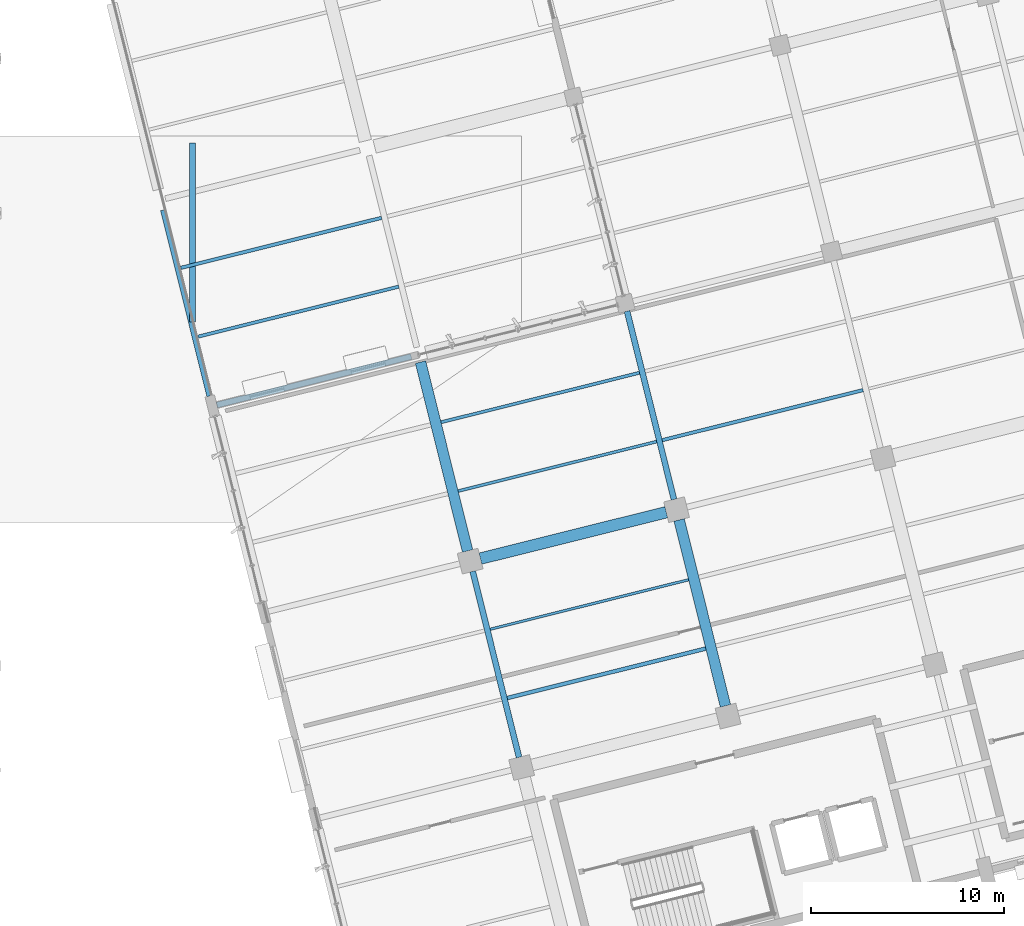
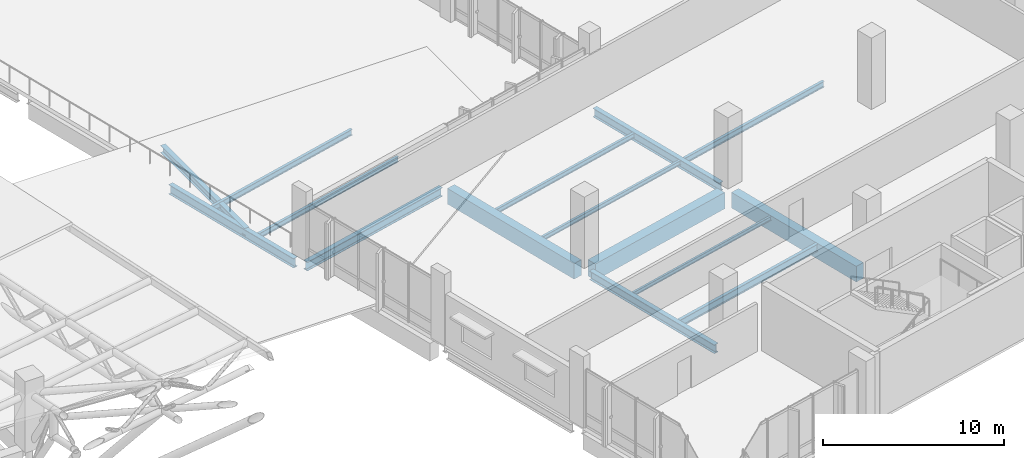
# One storey, part 69 of 137: 15 beams.
"""IFC4 building model written with IfcOpenShell, lengths in metres."""

from ifc_helpers import new_model, si_unit, direction, frame, origin, origin_2d, place, context, subcontext, project, spatial, rectangle, i_section, extrude, material, material_profile, profile_set, type_object, element, save


model = new_model("IFC4")

# Units and contexts
model_context = context("Model", 3, precision=1e-05, world=origin(), true_north=direction((0.0, 1.0)))
body_context = subcontext(model_context, "Body", "Model", "MODEL_VIEW")
ifc_project = project(units=[si_unit("LENGTHUNIT", "METRE"), si_unit("AREAUNIT", "SQUARE_METRE"), si_unit("VOLUMEUNIT", "CUBIC_METRE"), si_unit("PLANEANGLEUNIT", "RADIAN"), si_unit("MASSUNIT", "GRAM", prefix="KILO")], contexts=[model_context])

# Site, building, storey
site_placement = place(None, origin())
site = spatial("IfcSite", under=ifc_project, at=site_placement, CompositionType="ELEMENT")
building_placement = place(site_placement, origin())
building = spatial("IfcBuilding", under=site, at=building_placement, Name="Khorjan Park Terminus", CompositionType="ELEMENT")
storey_placement = place(building_placement, frame((0.0, 0.0, 11.4)))
storey = spatial("IfcBuildingStorey", under=building, at=storey_placement, Name="L02", CompositionType="ELEMENT", Elevation=11.4)

# Beams
ifc_material_1 = material(Name="Steel S355", Category="steel")
ifc_material_profile_1 = material_profile(ifc_material_1, i_section(OverallWidth=0.3, OverallDepth=0.59, WebThickness=0.013, FlangeThickness=0.025, FilletRadius=0.027, at=origin_2d()), Name="HEA 600")
ifc_profile_set_1 = profile_set([ifc_material_profile_1], Name="Steel S355")
beam_type_1 = type_object("IfcBeamType", Name="BM-HEA600", PredefinedType="BEAM", material=ifc_profile_set_1)
beam_1_placement = place(storey_placement, frame((173.8803, 15.8632, -0.645), z_axis=(-0.24192775306, 0.970294265828, 0.0), x_axis=(-0.970294265828, -0.24192775306, 0.0)))
element("IfcBeam", 1, at=beam_1_placement, inside=storey, type_object=beam_type_1, Name="Primary skew-grid floor girder SB-A60 (L02)", PredefinedType="BEAM", context=body_context, shape_type="SweptSolid", body=[
    extrude(i_section(OverallWidth=0.3, OverallDepth=0.59, WebThickness=0.013, FlangeThickness=0.025, FilletRadius=0.027, at=origin_2d()), origin(), (0.0, 0.0, 1.0), 9.91),
])
beam_2_placement = place(storey_placement, frame((181.8924, 29.1976, -0.645), z_axis=(-0.24192360021, 0.970295301267, 0.0), x_axis=(-0.970295301267, -0.24192360021, 0.0)))
element("IfcBeam", 2, at=beam_2_placement, inside=storey, type_object=beam_type_1, Name="Primary skew-grid floor girder SB-A60 (L02)", PredefinedType="BEAM", context=body_context, shape_type="SweptSolid", body=[
    extrude(i_section(OverallWidth=0.3, OverallDepth=0.59, WebThickness=0.013, FlangeThickness=0.025, FilletRadius=0.027, at=origin_2d()), origin(), (0.0, 0.0, 1.0), 10.035),
])
ifc_material_profile_2 = material_profile(ifc_material_1, i_section(OverallWidth=0.3, OverallDepth=0.64, WebThickness=0.0135, FlangeThickness=0.026, FilletRadius=0.027, at=origin_2d()), Name="HEA 650")
ifc_profile_set_2 = profile_set([ifc_material_profile_2], Name="Steel S355")
beam_type_2 = type_object("IfcBeamType", Name="BM-HEA650", PredefinedType="BEAM", material=ifc_profile_set_2)
beam_3_placement = place(storey_placement, frame((157.8847, 34.5486, -0.59), z_axis=(-0.241918252798, 0.970296634521, 0.0), x_axis=(-0.970296634521, -0.241918252798, 0.0)))
element("IfcBeam", 3, at=beam_3_placement, inside=storey, type_object=beam_type_2, Name="Primary skew-grid floor girder SB-A65 (L02)", PredefinedType="BEAM", context=body_context, shape_type="SweptSolid", body=[
    extrude(i_section(OverallWidth=0.3, OverallDepth=0.64, WebThickness=0.0135, FlangeThickness=0.026, FilletRadius=0.027, at=origin_2d()), origin(), (0.0, 0.0, 1.0), 9.91),
])
ifc_material_profile_3 = material_profile(ifc_material_1, i_section(OverallWidth=0.3, OverallDepth=0.5, WebThickness=0.0145, FlangeThickness=0.028, FilletRadius=0.027, at=origin_2d()), Name="HEB 500")
ifc_profile_set_3 = profile_set([ifc_material_profile_3], Name="Steel S355")
beam_type_3 = type_object("IfcBeamType", Name="BM-HEB500", PredefinedType="BEAM", material=ifc_profile_set_3)
beam_4_placement = place(storey_placement, frame((157.0, 38.37, -0.52), z_axis=(0.0, 1.0, 0.0), x_axis=(-1.0, 0.0, 0.0)))
element("IfcBeam", 4, at=beam_4_placement, inside=storey, type_object=beam_type_3, Name="Primary floor girder SB-B50 (L02)", PredefinedType="BEAM", context=body_context, shape_type="SweptSolid", body=[
    extrude(i_section(OverallWidth=0.3, OverallDepth=0.5, WebThickness=0.0145, FlangeThickness=0.028, FilletRadius=0.027, at=origin_2d()), origin(), (0.0, 0.0, 1.0), 9.26),
])
ifc_material_profile_4 = material_profile(ifc_material_1, i_section(OverallWidth=0.3, OverallDepth=0.6, WebThickness=0.0155, FlangeThickness=0.03, FilletRadius=0.027, at=origin_2d()), Name="HEB 600")
ifc_profile_set_4 = profile_set([ifc_material_profile_4], Name="Steel S355")
beam_type_4 = type_object("IfcBeamType", Name="BM-HEB600", PredefinedType="BEAM", material=ifc_profile_set_4)
beam_5_placement = place(storey_placement, frame((158.2543, 34.079, -0.65), z_axis=(0.970296176779, 0.241920088722, 0.0), x_axis=(-0.241920088722, 0.970296176779, 0.0)))
element("IfcBeam", 5, at=beam_5_placement, inside=storey, type_object=beam_type_4, Name="Primary skew-grid floor girder SB-B60 (L02)", PredefinedType="BEAM", context=body_context, shape_type="SweptSolid", body=[
    extrude(i_section(OverallWidth=0.3, OverallDepth=0.6, WebThickness=0.0155, FlangeThickness=0.03, FilletRadius=0.027, at=origin_2d()), origin(), (0.0, 0.0, 1.0), 10.36),
])
ifc_material_2 = material(Name="Concrete C40/50", Category="concrete")
ifc_material_profile_5 = material_profile(ifc_material_2, rectangle(XDim=0.55, YDim=1.05, at=origin_2d()), Name="RC 550x1050")
ifc_profile_set_5 = profile_set([ifc_material_profile_5], Name="Concrete C40/50")
beam_type_5 = type_object("IfcBeamType", Name="BM-RC550x1050", PredefinedType="BEAM", material=ifc_profile_set_5)
beam_6_placement = place(storey_placement, frame((171.2191, 26.5365, -0.875), z_axis=(-0.241920438591, 0.970296089548, 0.0), x_axis=(-0.970296089548, -0.241920438591, 0.0)))
element("IfcBeam", 6, at=beam_6_placement, inside=storey, type_object=beam_type_5, Name="Primary skew-grid floor girder GB-105 (L02)", PredefinedType="BEAM", context=body_context, shape_type="SweptSolid", body=[
    extrude(rectangle(XDim=0.55, YDim=1.05, at=origin_2d()), origin(), (0.0, 0.0, 1.0), 10.0599),
])
beam_7_placement = place(storey_placement, frame((184.5535, 18.5243, -0.875), z_axis=(-0.241915884168, 0.970297225074, 0.0), x_axis=(-0.970297225074, -0.241915884168, 0.0)))
element("IfcBeam", 7, at=beam_7_placement, inside=storey, type_object=beam_type_5, Name="Primary skew-grid floor girder GB-105 (L02)", PredefinedType="BEAM", context=body_context, shape_type="SweptSolid", body=[
    extrude(rectangle(XDim=0.55, YDim=1.05, at=origin_2d()), origin(), (0.0, 0.0, 1.0), 9.9101),
])
ifc_material_profile_6 = material_profile(ifc_material_2, rectangle(XDim=0.6, YDim=1.1, at=origin_2d()), Name="RC 600x1100")
ifc_profile_set_6 = profile_set([ifc_material_profile_6], Name="Concrete C40/50")
beam_type_6 = type_object("IfcBeamType", Name="BM-RC600x1100", PredefinedType="BEAM", material=ifc_profile_set_6)
beam_8_placement = place(storey_placement, frame((171.8798, 26.1395, -0.9), z_axis=(0.970296634521, 0.241918252798, 0.0), x_axis=(-0.241918252798, 0.970296634521, 0.0)))
element("IfcBeam", 8, at=beam_8_placement, inside=storey, type_object=beam_type_6, Name="Primary skew-grid floor girder GB-11 (L02)", PredefinedType="BEAM", context=body_context, shape_type="SweptSolid", body=[
    extrude(rectangle(XDim=0.6, YDim=1.1, at=origin_2d()), origin(), (0.0, 0.0, 1.0), 9.91),
])
ifc_material_profile_7 = material_profile(ifc_material_1, i_section(OverallWidth=0.135, OverallDepth=0.27, WebThickness=0.0066, FlangeThickness=0.0102, FilletRadius=0.015, at=origin_2d()), Name="IPE 270")
ifc_profile_set_7 = profile_set([ifc_material_profile_7], Name="Steel S355")
beam_type_7 = type_object("IfcBeamType", Name="JS-IPE270", PredefinedType="JOIST", material=ifc_profile_set_7)
beam_9_placement = place(storey_placement, frame((172.3836, 22.4862, -0.485), z_axis=(0.970295832192, 0.241921470792, 0.0), x_axis=(-0.241921470792, 0.970295832192, 0.0)))
element("IfcBeam", 9, at=beam_9_placement, inside=storey, type_object=beam_type_7, Name="Secondary composite floor joist SJ-27 (L02)", PredefinedType="JOIST", context=body_context, shape_type="SweptSolid", body=[
    extrude(i_section(OverallWidth=0.135, OverallDepth=0.27, WebThickness=0.0066, FlangeThickness=0.0102, FilletRadius=0.015, at=origin_2d()), origin(), (0.0, 0.0, 1.0), 10.5749),
])
ifc_material_profile_8 = material_profile(ifc_material_1, i_section(OverallWidth=0.15, OverallDepth=0.3, WebThickness=0.0071, FlangeThickness=0.0107, FilletRadius=0.015, at=origin_2d()), Name="IPE 300")
ifc_profile_set_8 = profile_set([ifc_material_profile_8], Name="Steel S355")
beam_type_8 = type_object("IfcBeamType", Name="JS-IPE300", PredefinedType="JOIST", material=ifc_profile_set_8)
beam_10_placement = place(storey_placement, frame((170.7307, 29.632, -0.5), z_axis=(0.970296385626, 0.241919251074, 0.0), x_axis=(-0.241919251074, 0.970296385626, 0.0)))
element("IfcBeam", 10, at=beam_10_placement, inside=storey, type_object=beam_type_8, Name="Secondary composite floor joist SJ-30 (L02)", PredefinedType="JOIST", context=body_context, shape_type="SweptSolid", body=[
    extrude(i_section(OverallWidth=0.15, OverallDepth=0.3, WebThickness=0.0071, FlangeThickness=0.0107, FilletRadius=0.015, at=origin_2d()), origin(), (0.0, 0.0, 1.0), 10.575),
])
ifc_material_profile_9 = material_profile(ifc_material_1, i_section(OverallWidth=0.16, OverallDepth=0.33, WebThickness=0.0075, FlangeThickness=0.0115, FilletRadius=0.018, at=origin_2d()), Name="IPE 330")
ifc_profile_set_9 = profile_set([ifc_material_profile_9], Name="Steel S355")
beam_type_9 = type_object("IfcBeamType", Name="JS-IPE330", PredefinedType="JOIST", material=ifc_profile_set_9)
beam_11_placement = place(storey_placement, frame((169.8437, 33.1896, -0.515), z_axis=(0.970294165893, 0.241928153868, 0.0), x_axis=(-0.241928153868, 0.970294165893, 0.0)))
element("IfcBeam", 11, at=beam_11_placement, inside=storey, type_object=beam_type_9, Name="Secondary composite floor joist SJ-33 (L02)", PredefinedType="JOIST", context=body_context, shape_type="SweptSolid", body=[
    extrude(i_section(OverallWidth=0.16, OverallDepth=0.33, WebThickness=0.0075, FlangeThickness=0.0115, FilletRadius=0.018, at=origin_2d()), origin(), (0.0, 0.0, 1.0), 10.575),
])
ifc_material_profile_10 = material_profile(ifc_material_1, i_section(OverallWidth=0.17, OverallDepth=0.36, WebThickness=0.008, FlangeThickness=0.0127, FilletRadius=0.018, at=origin_2d()), Name="IPE 360")
ifc_profile_set_10 = profile_set([ifc_material_profile_10], Name="Steel S355")
beam_type_10 = type_object("IfcBeamType", Name="JS-IPE360", PredefinedType="JOIST", material=ifc_profile_set_10)
beam_12_placement = place(storey_placement, frame((157.2751, 37.6138, -0.45), z_axis=(0.970294591155, 0.241926448278, 0.0), x_axis=(-0.241926448278, 0.970294591155, 0.0)))
element("IfcBeam", 12, at=beam_12_placement, inside=storey, type_object=beam_type_10, Name="Secondary composite floor joist SJ-36 (L02)", PredefinedType="JOIST", context=body_context, shape_type="SweptSolid", body=[
    extrude(i_section(OverallWidth=0.17, OverallDepth=0.36, WebThickness=0.008, FlangeThickness=0.0127, FilletRadius=0.018, at=origin_2d()), origin(), (0.0, 0.0, 1.0), 10.6999),
])
ifc_material_profile_11 = material_profile(ifc_material_1, i_section(OverallWidth=0.18, OverallDepth=0.4, WebThickness=0.0086, FlangeThickness=0.0135, FilletRadius=0.021, at=origin_2d()), Name="IPE 400")
ifc_profile_set_11 = profile_set([ifc_material_profile_11], Name="Steel S355")
beam_type_11 = type_object("IfcBeamType", Name="JS-IPE400", PredefinedType="JOIST", material=ifc_profile_set_11)
for number, where, z_axis, x_axis, name in (
    (13, (156.388, 41.1715, -0.47), (0.970295138144, 0.241924254455, 0.0), (-0.241924254455, 0.970295138144, 0.0), "Secondary composite floor joist SJ-40 (L02)"),
    (14, (181.2827, 32.2629, -0.55), (0.970297331913, 0.241915455651, 0.0), (-0.241915455651, 0.970297331913, 0.0), "Secondary composite floor joist SJ-40 (L02)"),
):
    element("IfcBeam", number, at=place(storey_placement, frame(where, z_axis=z_axis, x_axis=x_axis)), inside=storey, type_object=beam_type_11, Name=name, PredefinedType="JOIST", context=body_context, shape_type="SweptSolid", body=[
        extrude(i_section(OverallWidth=0.18, OverallDepth=0.4, WebThickness=0.0086, FlangeThickness=0.0135, FilletRadius=0.021, at=origin_2d()), origin(), (0.0, 0.0, 1.0), 10.7),
    ])
ifc_material_profile_12 = material_profile(ifc_material_1, i_section(OverallWidth=0.2, OverallDepth=0.5, WebThickness=0.0102, FlangeThickness=0.016, FilletRadius=0.021, at=origin_2d()), Name="IPE 500")
ifc_profile_set_12 = profile_set([ifc_material_profile_12], Name="Steel S355")
beam_type_12 = type_object("IfcBeamType", Name="JS-IPE500", PredefinedType="JOIST", material=ifc_profile_set_12)
beam_13_placement = place(storey_placement, frame((173.2706, 18.9285, -0.6), z_axis=(0.970296385626, 0.241919251074, 0.0), x_axis=(-0.241919251074, 0.970296385626, 0.0)))
element("IfcBeam", 15, at=beam_13_placement, inside=storey, type_object=beam_type_12, Name="Secondary composite floor joist SJ-50 (L02)", PredefinedType="JOIST", context=body_context, shape_type="SweptSolid", body=[
    extrude(i_section(OverallWidth=0.2, OverallDepth=0.5, WebThickness=0.0102, FlangeThickness=0.016, FilletRadius=0.021, at=origin_2d()), origin(), (0.0, 0.0, 1.0), 10.575),
])

save(model, "model.ifc")
